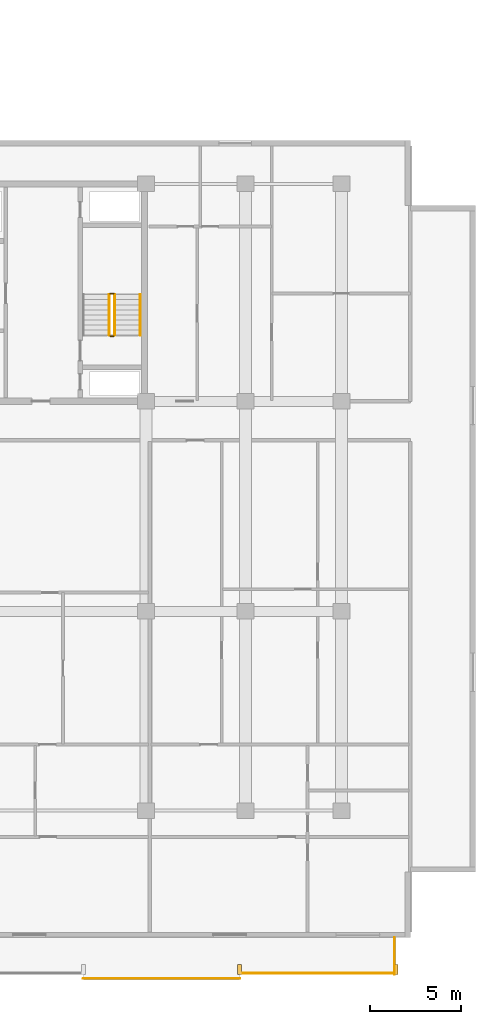
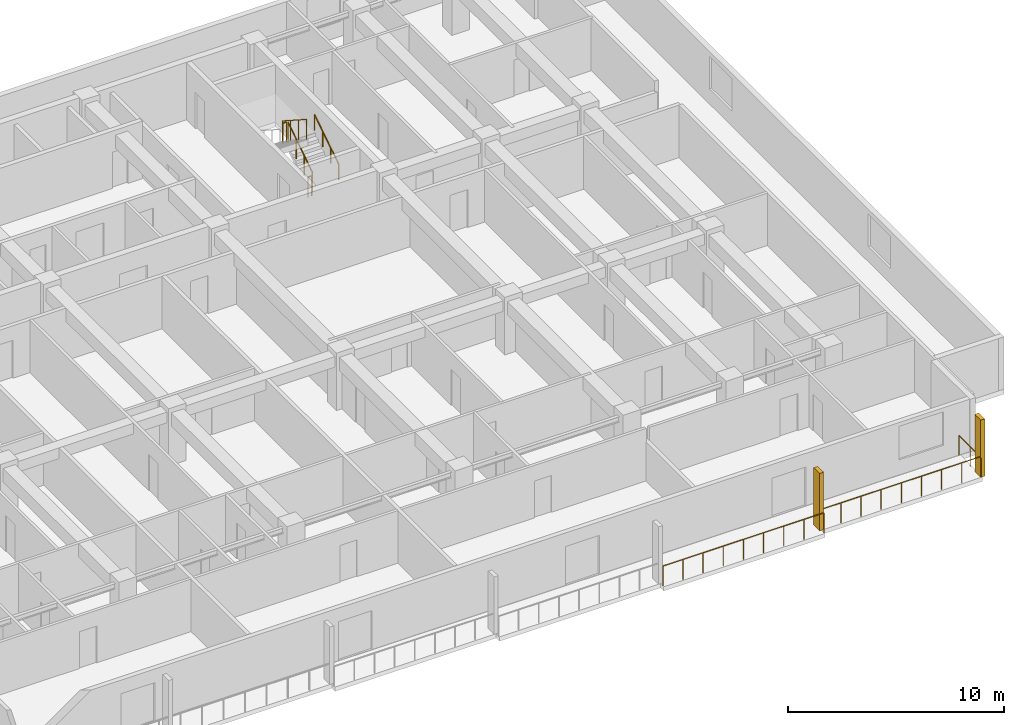
# One storey, part 21 of 23: 8 railings, 2 shading devices.
"""IFC4 building model written with IfcOpenShell, lengths in metres."""

from ifc_helpers import new_model, si_unit, direction, frame, origin, origin_2d, place, context, subcontext, project, spatial, rectangle, circle, extrude, material, type_object, element, save


model = new_model("IFC4")

# Units and contexts
model_context = context("Model", 3, precision=1e-05, world=origin(), true_north=direction((0.0, 1.0)))
body_context = subcontext(model_context, "Body", "Model", "MODEL_VIEW")
ifc_project = project(units=[si_unit("LENGTHUNIT", "METRE"), si_unit("AREAUNIT", "SQUARE_METRE"), si_unit("VOLUMEUNIT", "CUBIC_METRE"), si_unit("PLANEANGLEUNIT", "RADIAN"), si_unit("MASSUNIT", "GRAM", prefix="KILO")], contexts=[model_context])

# Site, building, storey
site_placement = place(None, origin())
site = spatial("IfcSite", under=ifc_project, at=site_placement, CompositionType="ELEMENT")
building_placement = place(site_placement, origin())
building = spatial("IfcBuilding", under=site, at=building_placement, Name="Korimba Cascade Residences", CompositionType="ELEMENT")
storey_placement = place(building_placement, frame((0.0, 0.0, 27.25)))
storey = spatial("IfcBuildingStorey", under=building, at=storey_placement, Name="L06", CompositionType="ELEMENT", Elevation=27.25)

# Railings
ifc_material_1 = material(Name="Laminated Glass and Bronze Balustrade", Category="glass")
railing_type_1 = type_object("IfcRailingType", Name="RLG-LOG-1150", PredefinedType="BALUSTRADE", material=ifc_material_1)
railing_1_placement = place(storey_placement, frame((114.642822265625, -13.469970703125, 0.0)))
element("IfcRailing", 1, at=railing_1_placement, inside=storey, type_object=railing_type_1, Name="L06 Perimeter Guardrail RLG-L06-T2-LOG-05", PredefinedType="BALUSTRADE", context=body_context, shape_type="SweptSolid", body=[
    extrude(circle(Radius=0.02392578125, at=origin_2d()), frame((0.0, 0.0, 1.1259765625), z_axis=(1.0, 0.0, 0.0), x_axis=(0.0, 1.0, 0.0)), (0.0, 0.0, 1.0), 8.628662109375),
    extrude(circle(Radius=0.02099609375, at=origin_2d()), origin(), (0.0, 0.0, 1.0), 1.101806640625),
    extrude(circle(Radius=0.02099609375, at=origin_2d()), frame((1.07861328125, 0.0, 0.0)), (0.0, 0.0, 1.0), 1.101806640625),
    extrude(circle(Radius=0.02099609375, at=origin_2d()), frame((2.1572265625, 0.0, 0.0)), (0.0, 0.0, 1.0), 1.101806640625),
    extrude(circle(Radius=0.02099609375, at=origin_2d()), frame((3.23583984375, 0.0, 0.0)), (0.0, 0.0, 1.0), 1.101806640625),
    extrude(circle(Radius=0.02099609375, at=origin_2d()), frame((4.314453125, 0.0, 0.0)), (0.0, 0.0, 1.0), 1.101806640625),
    extrude(circle(Radius=0.02099609375, at=origin_2d()), frame((5.392822265625, 0.0, 0.0)), (0.0, 0.0, 1.0), 1.101806640625),
    extrude(circle(Radius=0.02099609375, at=origin_2d()), frame((6.471435546875, 0.0, 0.0)), (0.0, 0.0, 1.0), 1.101806640625),
    extrude(circle(Radius=0.02099609375, at=origin_2d()), frame((7.550048828125, 0.0, 0.0)), (0.0, 0.0, 1.0), 1.101806640625),
    extrude(circle(Radius=0.02099609375, at=origin_2d()), frame((8.628662109375, 0.0, 0.0)), (0.0, 0.0, 1.0), 1.101806640625),
])
railing_2_placement = place(storey_placement, frame((123.271484375, -13.169921875, 0.0)))
element("IfcRailing", 2, at=railing_2_placement, inside=storey, type_object=railing_type_1, Name="L06 Perimeter Guardrail RLG-L06-T2-LOG-06", PredefinedType="BALUSTRADE", context=body_context, shape_type="SweptSolid", body=[
    extrude(circle(Radius=0.02392578125, at=origin_2d()), frame((0.0, 0.0, 1.1259765625), z_axis=(1.0, 0.0, 0.0), x_axis=(0.0, 1.0, 0.0)), (0.0, 0.0, 1.0), 8.62841796875),
    extrude(circle(Radius=0.02099609375, at=origin_2d()), origin(), (0.0, 0.0, 1.0), 1.101806640625),
    extrude(circle(Radius=0.02099609375, at=origin_2d()), frame((1.07861328125, 0.0, 0.0)), (0.0, 0.0, 1.0), 1.101806640625),
    extrude(circle(Radius=0.02099609375, at=origin_2d()), frame((2.1572265625, 0.0, 0.0)), (0.0, 0.0, 1.0), 1.101806640625),
    extrude(circle(Radius=0.02099609375, at=origin_2d()), frame((3.235595703125, 0.0, 0.0)), (0.0, 0.0, 1.0), 1.101806640625),
    extrude(circle(Radius=0.02099609375, at=origin_2d()), frame((4.314208984375, 0.0, 0.0)), (0.0, 0.0, 1.0), 1.101806640625),
    extrude(circle(Radius=0.02099609375, at=origin_2d()), frame((5.392822265625, 0.0, 0.0)), (0.0, 0.0, 1.0), 1.101806640625),
    extrude(circle(Radius=0.02099609375, at=origin_2d()), frame((6.47119140625, 0.0, 0.0)), (0.0, 0.0, 1.0), 1.101806640625),
    extrude(circle(Radius=0.02099609375, at=origin_2d()), frame((7.5498046875, 0.0, 0.0)), (0.0, 0.0, 1.0), 1.101806640625),
    extrude(circle(Radius=0.02099609375, at=origin_2d()), frame((8.62841796875, 0.0, 0.0)), (0.0, 0.0, 1.0), 1.101806640625),
])
railing_3_placement = place(storey_placement, frame((131.820068359375, -13.25, 0.0)))
element("IfcRailing", 3, at=railing_3_placement, inside=storey, type_object=railing_type_1, Name="L06 Perimeter Guardrail RLG-L06-T2-LOG-07", PredefinedType="BALUSTRADE", context=body_context, shape_type="SweptSolid", body=[
    extrude(circle(Radius=0.02392578125, at=origin_2d()), frame((0.0, 0.0, 1.1259765625), z_axis=(0.0, 1.0, 0.0), x_axis=(-1.0, 0.0, 0.0)), (0.0, 0.0, 1.0), 2.050048828125),
    extrude(circle(Radius=0.02099609375, at=origin_2d()), origin(), (0.0, 0.0, 1.0), 1.101806640625),
    extrude(circle(Radius=0.02099609375, at=origin_2d()), frame((0.0, 1.02490234375, 0.0)), (0.0, 0.0, 1.0), 1.101806640625),
    extrude(circle(Radius=0.02099609375, at=origin_2d()), frame((0.0, 2.050048828125, 0.0)), (0.0, 0.0, 1.0), 1.101806640625),
])
ifc_material_2 = material(Name="Painted Steel Stairwell Guardrail", Category="steel")
railing_type_2 = type_object("IfcRailingType", Name="RLG-ST-GD1150", PredefinedType="GUARDRAIL", material=ifc_material_2)
railing_4_placement = place(storey_placement, frame((116.3701171875, 22.050048828125, 0.1806640625)))
element("IfcRailing", 4, at=railing_4_placement, inside=storey, type_object=railing_type_2, Name="L06 ST-E2 stair guard 1", PredefinedType="GUARDRAIL", context=body_context, shape_type="SweptSolid", body=[
    extrude(circle(Radius=0.02392578125, at=origin_2d()), frame((0.0, 0.0, 1.1259765625), z_axis=(0.0, 0.840436612492, 0.541909863706), x_axis=(-1.0, 0.0, 0.0)), (0.0, 0.0, 1.0), 2.665283203125),
    extrude(circle(Radius=0.02099609375, at=origin_2d()), origin(), (0.0, 0.0, 1.0), 1.101806640625),
    extrude(circle(Radius=0.02099609375, at=origin_2d()), frame((0.0, 0.74658203125, 0.4814453125)), (0.0, 0.0, 1.0), 1.101806640625),
    extrude(circle(Radius=0.02099609375, at=origin_2d()), frame((0.0, 1.493408203125, 0.962890625)), (0.0, 0.0, 1.0), 1.101806640625),
    extrude(circle(Radius=0.02099609375, at=origin_2d()), frame((0.0, 2.239990234375, 1.4443359375)), (0.0, 0.0, 1.0), 1.101806640625),
])
railing_5_placement = place(storey_placement, frame((116.320068359375, 24.340087890625, 1.625)))
element("IfcRailing", 5, at=railing_5_placement, inside=storey, type_object=railing_type_2, Name="L06 ST-E2 stair guard 2", PredefinedType="GUARDRAIL", context=body_context, shape_type="SweptSolid", body=[
    extrude(circle(Radius=0.02392578125, at=origin_2d()), frame((0.0, 0.0, 1.1259765625), z_axis=(-1.0, 0.0, 0.0), x_axis=(0.0, -1.0, 0.0)), (0.0, 0.0, 1.0), 0.199951171875),
    extrude(circle(Radius=0.02099609375, at=origin_2d()), origin(), (0.0, 0.0, 1.0), 1.101806640625),
    extrude(circle(Radius=0.02099609375, at=origin_2d()), frame((-0.199951171875, 0.0, 0.0)), (0.0, 0.0, 1.0), 1.101806640625),
])
railing_6_placement = place(storey_placement, frame((116.070068359375, 24.2900390625, 1.8056640625)))
element("IfcRailing", 6, at=railing_6_placement, inside=storey, type_object=railing_type_2, Name="L06 ST-E2 stair guard 3", PredefinedType="GUARDRAIL", context=body_context, shape_type="SweptSolid", body=[
    extrude(circle(Radius=0.02392578125, at=origin_2d()), frame((0.0, 0.0, 1.1259765625), z_axis=(0.0, -0.840436612492, 0.541909863706), x_axis=(1.0, 0.0, 0.0)), (0.0, 0.0, 1.0), 2.665283203125),
    extrude(circle(Radius=0.02099609375, at=origin_2d()), origin(), (0.0, 0.0, 1.0), 1.101806640625),
    extrude(circle(Radius=0.02099609375, at=origin_2d()), frame((0.0, -0.74658203125, 0.4814453125)), (0.0, 0.0, 1.0), 1.101806640625),
    extrude(circle(Radius=0.02099609375, at=origin_2d()), frame((0.0, -1.493408203125, 0.962890625)), (0.0, 0.0, 1.0), 1.101806640625),
    extrude(circle(Radius=0.02099609375, at=origin_2d()), frame((0.0, -2.239990234375, 1.4443359375)), (0.0, 0.0, 1.0), 1.101806640625),
])
railing_7_placement = place(storey_placement, frame((116.320068359375, 22.0, 0.0)))
element("IfcRailing", 7, at=railing_7_placement, inside=storey, type_object=railing_type_2, Name="L06 ST-E2 stair guard 4", PredefinedType="GUARDRAIL", context=body_context, shape_type="SweptSolid", body=[
    extrude(circle(Radius=0.02392578125, at=origin_2d()), frame((0.0, 0.0, 1.1259765625), z_axis=(-1.0, 0.0, 0.0), x_axis=(0.0, -1.0, 0.0)), (0.0, 0.0, 1.0), 0.199951171875),
    extrude(circle(Radius=0.02099609375, at=origin_2d()), origin(), (0.0, 0.0, 1.0), 1.101806640625),
    extrude(circle(Radius=0.02099609375, at=origin_2d()), frame((-0.199951171875, 0.0, 0.0)), (0.0, 0.0, 1.0), 1.101806640625),
])
ifc_material_3 = material(Name="Brushed Stainless Steel Handrail", Category="steel")
railing_type_3 = type_object("IfcRailingType", Name="RLG-ST-HR900", PredefinedType="HANDRAIL", material=ifc_material_3)
railing_8_placement = place(storey_placement, frame((117.7900390625, 22.050048828125, 0.364990234375)))
element("IfcRailing", 8, at=railing_8_placement, inside=storey, type_object=railing_type_3, Name="L06 ST-E2 stair handrail 1", PredefinedType="HANDRAIL", context=body_context, shape_type="SweptSolid", body=[
    extrude(circle(Radius=0.02392578125, at=origin_2d()), frame((0.0, 0.0, 0.8759765625), z_axis=(0.0, 0.840436612492, 0.541909863706), x_axis=(-1.0, 0.0, 0.0)), (0.0, 0.0, 1.0), 2.665283203125),
    extrude(circle(Radius=0.02099609375, at=origin_2d()), origin(), (0.0, 0.0, 1.0), 0.851806640625),
    extrude(circle(Radius=0.02099609375, at=origin_2d()), frame((0.0, 0.74658203125, 0.4814453125)), (0.0, 0.0, 1.0), 0.851806640625),
    extrude(circle(Radius=0.02099609375, at=origin_2d()), frame((0.0, 1.493408203125, 0.962890625)), (0.0, 0.0, 1.0), 0.851806640625),
    extrude(circle(Radius=0.02099609375, at=origin_2d()), frame((0.0, 2.239990234375, 1.4443359375)), (0.0, 0.0, 1.0), 0.851806640625),
])

# Shading devices
ifc_material_4 = material(Name="Honed Sandstone Precast Fin", Category="masonry")
shading_device_type = type_object("IfcShadingDeviceType", Name="SHD-FIN-550", PredefinedType="USERDEFINED", material=ifc_material_4)
for number, where, z_axis, x_axis, name in (
    (9, (123.271484375, -12.97509765625, 0.0), (0.0, 0.0, 1.0), (1.0, 0.0, 0.0), "L06 T2 Warm-Stone Loggia Fin 7"),
    (10, (131.89990234375, -12.97509765625, 0.0), (0.0, 0.0, 1.0), (1.0, 0.0, 0.0), "L06 T2 Warm-Stone Loggia Fin 8"),
):
    element("IfcShadingDevice", number, at=place(storey_placement, frame(where, z_axis=z_axis, x_axis=x_axis)), inside=storey, type_object=shading_device_type, Name=name, ObjectType="FIN", PredefinedType="USERDEFINED", context=body_context, shape_type="SweptSolid", body=[
        extrude(rectangle(XDim=0.219970703125, YDim=0.550048828125, at=origin_2d()), origin(), (0.0, 0.0, 1.0), 3.25),
    ])

save(model, "model.ifc")
